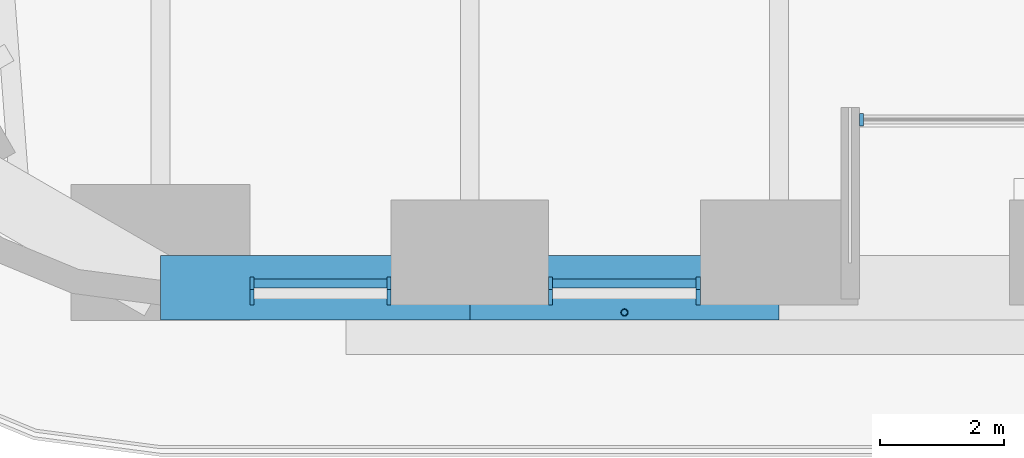
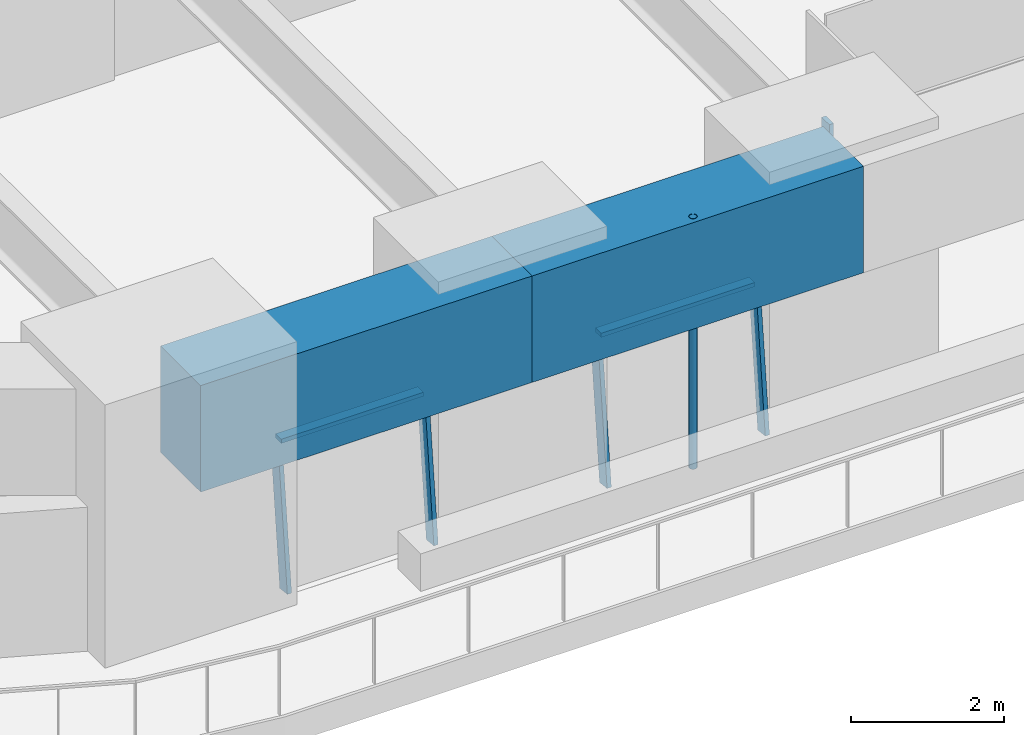
# One storey, part 2 of 24: 8 members, 2 beams, 3 elements without a shape of their own.
"""IFC4 building model written with IfcOpenShell, lengths in metres."""

from ifc_helpers import new_model, si_unit, direction, frame, origin, origin_2d, place, context, subcontext, project, spatial, rectangle, hollow_circle, extrude, material, material_profile, profile_set, type_object, element, aggregate, save


model = new_model("IFC4")

# Units and contexts
model_context = context("Model", 3, precision=1e-05, world=origin(), true_north=direction((0.0, 1.0)))
body_context = subcontext(model_context, "Body", "Model", "MODEL_VIEW")
ifc_project = project(units=[si_unit("LENGTHUNIT", "METRE"), si_unit("AREAUNIT", "SQUARE_METRE"), si_unit("VOLUMEUNIT", "CUBIC_METRE"), si_unit("PLANEANGLEUNIT", "RADIAN"), si_unit("MASSUNIT", "GRAM", prefix="KILO")], contexts=[model_context])

# Site, building, storey
site_placement = place(None, origin())
site = spatial("IfcSite", under=ifc_project, at=site_placement, CompositionType="ELEMENT")
building_placement = place(site_placement, origin())
building = spatial("IfcBuilding", under=site, at=building_placement, Name="Tarfa Lantern Tower", CompositionType="ELEMENT")
storey_placement = place(building_placement, frame((0.0, 0.0, 119.5)))
storey = spatial("IfcBuildingStorey", under=building, at=storey_placement, Name="L26", CompositionType="ELEMENT", Elevation=119.5)

# Curtain wall, members
ifc_material_1 = material(Name="Aluminium framed curtain wall", Category="aluminium")
curtain_wall_type_1 = type_object("IfcCurtainWallType", Name="CW2 CANTED GLAZING MID ZONE 2300", PredefinedType="USERDEFINED", material=ifc_material_1)
curtain_wall_1_placement = place(storey_placement, origin())
curtain_wall_1 = element("IfcCurtainWall", 1, at=curtain_wall_1_placement, inside=storey, type_object=curtain_wall_type_1, Name="CW2 S L26", ObjectType="CURTAIN WALL", PredefinedType="USERDEFINED")
ifc_material_2 = material(Name="Aluminium mullion", Category="aluminium")
ifc_material_profile_1 = material_profile(ifc_material_2, rectangle(XDim=0.06494140625, YDim=0.199951171875, at=origin_2d()), Name="AL MULLION 65x200")
ifc_profile_set_1 = profile_set([ifc_material_profile_1], Name="Aluminium mullion")
member_type_1 = type_object("IfcMemberType", Name="CWM1 MULLION 65x200", PredefinedType="MULLION", material=ifc_profile_set_1)
member_1_placement = place(storey_placement, frame((-13.528564453125, -31.39990234375, 0.0), z_axis=(0.0, 0.108056913548, 0.994144709504), x_axis=(-1.0, 0.0, 0.0)))
member_1 = element("IfcMember", 2, at=member_1_placement, type_object=member_type_1, Name="CW2 mullion 1", PredefinedType="MULLION", context=body_context, shape_type="SweptSolid", body=[
    extrude(rectangle(XDim=0.06494140625, YDim=0.199951171875, at=origin_2d()), origin(), (0.0, 0.0, 1.0), 2.3134765625),
])
member_2_placement = place(storey_placement, frame((-11.31494140625, -31.39990234375, 0.0), z_axis=(0.0, 0.108056913548, 0.994144709504), x_axis=(-1.0, 0.0, 0.0)))
member_2 = element("IfcMember", 3, at=member_2_placement, type_object=member_type_1, Name="CW2 mullion 2", PredefinedType="MULLION", context=body_context, shape_type="SweptSolid", body=[
    extrude(rectangle(XDim=0.06494140625, YDim=0.199951171875, at=origin_2d()), origin(), (0.0, 0.0, 1.0), 2.3134765625),
])

curtain_wall_2_placement = place(storey_placement, origin())
curtain_wall_2 = element("IfcCurtainWall", 4, at=curtain_wall_2_placement, inside=storey, type_object=curtain_wall_type_1, Name="CW2 S L26", ObjectType="CURTAIN WALL", PredefinedType="USERDEFINED")
member_3_placement = place(storey_placement, frame((-8.699951171875, -31.39990234375, 0.0), z_axis=(0.0, 0.108056913548, 0.994144709504), x_axis=(-1.0, 0.0, 0.0)))
member_3 = element("IfcMember", 5, at=member_3_placement, type_object=member_type_1, Name="CW2 mullion 1", PredefinedType="MULLION", context=body_context, shape_type="SweptSolid", body=[
    extrude(rectangle(XDim=0.06494140625, YDim=0.199951171875, at=origin_2d()), origin(), (0.0, 0.0, 1.0), 2.3134765625),
])
member_4_placement = place(storey_placement, frame((-6.311279296875, -31.39990234375, 0.0), z_axis=(0.0, 0.108056913548, 0.994144709504), x_axis=(-1.0, 0.0, 0.0)))
member_4 = element("IfcMember", 6, at=member_4_placement, type_object=member_type_1, Name="CW2 mullion 2", PredefinedType="MULLION", context=body_context, shape_type="SweptSolid", body=[
    extrude(rectangle(XDim=0.06494140625, YDim=0.199951171875, at=origin_2d()), origin(), (0.0, 0.0, 1.0), 2.3134765625),
])

# Curtain wall, member
curtain_wall_type_2 = type_object("IfcCurtainWallType", Name="CW10 LOGGIA GLAZING 2300", PredefinedType="USERDEFINED", material=ifc_material_1)
curtain_wall_3_placement = place(storey_placement, origin())
curtain_wall_3 = element("IfcCurtainWall", 7, at=curtain_wall_3_placement, inside=storey, type_object=curtain_wall_type_2, Name="CW10 SL L26", ObjectType="CURTAIN WALL", PredefinedType="USERDEFINED")
member_5_placement = place(storey_placement, frame((-3.671142578125, -28.5, 0.0), z_axis=(0.0, 0.0, 1.0), x_axis=(1.0, 0.0, 0.0)))
member_5 = element("IfcMember", 8, at=member_5_placement, type_object=member_type_1, Name="CW10 mullion 1", PredefinedType="MULLION", context=body_context, shape_type="SweptSolid", body=[
    extrude(rectangle(XDim=0.06494140625, YDim=0.199951171875, at=origin_2d()), origin(), (0.0, 0.0, 1.0), 2.300048828125),
])
aggregate(curtain_wall_3, [member_5])

# Member
ifc_material_3 = material(Name="Aluminium transom", Category="aluminium")
ifc_material_profile_2 = material_profile(ifc_material_3, rectangle(XDim=0.14990234375, YDim=0.06494140625, at=origin_2d()), Name="AL TRANSOM 150x65")
ifc_profile_set_2 = profile_set([ifc_material_profile_2], Name="Aluminium transom")
member_type_2 = type_object("IfcMemberType", Name="CWT1 TRANSOM 150x65", PredefinedType="USERDEFINED", material=ifc_profile_set_2)
member_6_placement = place(storey_placement, frame((-13.49609375, -31.153564453125, 2.267578125), z_axis=(1.0, 0.0, 0.0), x_axis=(0.0, 1.0, 0.0)))
member_6 = element("IfcMember", 9, at=member_6_placement, type_object=member_type_2, Name="CW2 transom 1.2", ObjectType="TRANSOM", PredefinedType="USERDEFINED", context=body_context, shape_type="SweptSolid", body=[
    extrude(rectangle(XDim=0.14990234375, YDim=0.06494140625, at=origin_2d()), origin(), (0.0, 0.0, 1.0), 2.148681640625),
])

aggregate(curtain_wall_1, [member_1, member_2, member_6])

member_7_placement = place(storey_placement, frame((-8.66748046875, -31.153564453125, 2.267578125), z_axis=(1.0, 0.0, 0.0), x_axis=(0.0, 1.0, 0.0)))
member_7 = element("IfcMember", 10, at=member_7_placement, type_object=member_type_2, Name="CW2 transom 1.2", ObjectType="TRANSOM", PredefinedType="USERDEFINED", context=body_context, shape_type="SweptSolid", body=[
    extrude(rectangle(XDim=0.14990234375, YDim=0.06494140625, at=origin_2d()), origin(), (0.0, 0.0, 1.0), 2.32373046875),
])

aggregate(curtain_wall_2, [member_3, member_4, member_7])

# Beams
ifc_material_4 = material(Name="Concrete C80/95", Category="concrete")
ifc_material_profile_3 = material_profile(ifc_material_4, rectangle(XDim=1.050048828125, YDim=1.699951171875, at=origin_2d()), Name="RC 1050x1700")
ifc_profile_set_3 = profile_set([ifc_material_profile_3], Name="Concrete C80/95")
beam_type = type_object("IfcBeamType", Name="RB2 RC 1050x1700", PredefinedType="BEAM", material=ifc_profile_set_3)
for number, where, z_axis, x_axis, name in (
    (11, (-15.010986328125, -31.219970703125, 3.14990234375), (1.0, 0.0, 0.0), (0.0, 1.0, 0.0), "Edge beam S0"),
    (12, (-10.00732421875, -31.219970703125, 3.14990234375), (1.0, 0.0, 0.0), (0.0, 1.0, 0.0), "Edge beam S1"),
):
    element("IfcBeam", number, at=place(storey_placement, frame(where, z_axis=z_axis, x_axis=x_axis)), inside=storey, type_object=beam_type, Name=name, PredefinedType="BEAM", context=body_context, shape_type="SweptSolid", body=[
        extrude(rectangle(XDim=1.050048828125, YDim=1.699951171875, at=origin_2d()), origin(), (0.0, 0.0, 1.0), 5.003662109375),
    ])

# Member
ifc_material_5 = material(Name="Steel S355", Category="steel")
ifc_material_profile_4 = material_profile(ifc_material_5, hollow_circle(Radius=0.05712890625, WallThickness=0.00634765625, at=origin_2d()), Name="CHS114.3x6.3")
ifc_profile_set_4 = profile_set([ifc_material_profile_4], Name="Steel S355")
member_type_3 = type_object("IfcMemberType", Name="TR1 GREEN WALL TRELLIS CHS114.3x6.3", PredefinedType="USERDEFINED", material=ifc_profile_set_4)
member_8_placement = place(storey_placement, frame((-7.505615234375, -31.6201171875, 0.0), z_axis=(0.0, 0.0, 1.0), x_axis=(1.0, 0.0, 0.0)))
element("IfcMember", 13, at=member_8_placement, inside=storey, type_object=member_type_3, Name="Trellis post S 1", ObjectType="TRELLIS", PredefinedType="USERDEFINED", context=body_context, shape_type="SweptSolid", body=[
    extrude(hollow_circle(Radius=0.05712890625, WallThickness=0.00634765625, at=origin_2d()), origin(), (0.0, 0.0, 1.0), 4.0),
])

save(model, "model.ifc")
